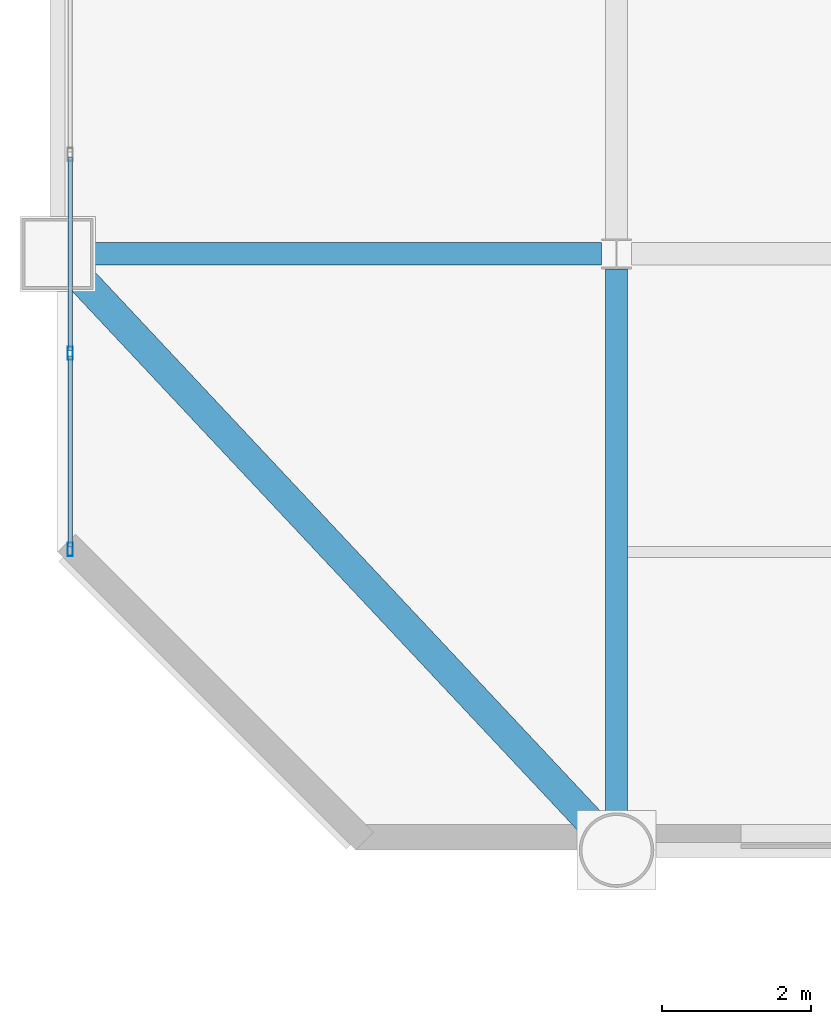
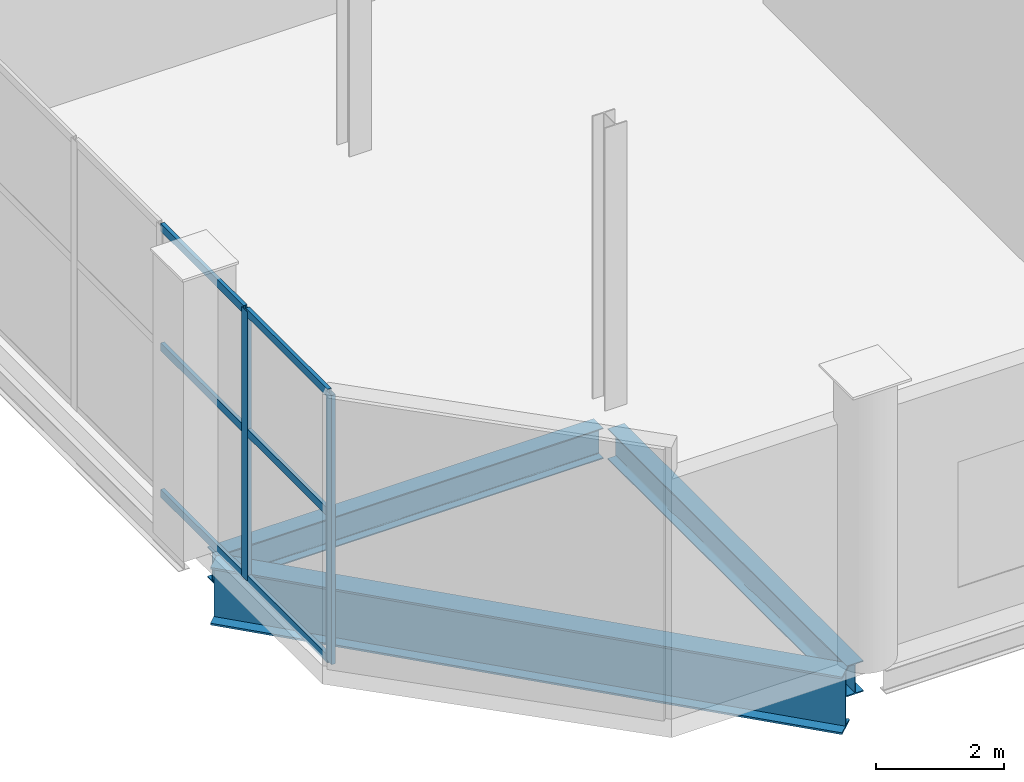
# One storey, part 4 of 23: 8 members, 3 beams, 1 element without a shape of its own.
"""IFC4 building model written with IfcOpenShell, lengths in metres."""

from ifc_helpers import new_model, si_unit, direction, frame, origin, origin_2d, place, context, subcontext, project, spatial, hollow_rectangle, i_section, extrude, material, layer, layer_set, material_profile, profile_set, type_object, element, aggregate, save


model = new_model("IFC4")

# Units and contexts
model_context = context("Model", 3, precision=1e-05, world=origin(), true_north=direction((0.0, 1.0)))
body_context = subcontext(model_context, "Body", "Model", "MODEL_VIEW")
ifc_project = project(units=[si_unit("LENGTHUNIT", "METRE"), si_unit("AREAUNIT", "SQUARE_METRE"), si_unit("VOLUMEUNIT", "CUBIC_METRE"), si_unit("PLANEANGLEUNIT", "RADIAN"), si_unit("MASSUNIT", "GRAM", prefix="KILO")], contexts=[model_context])

# Site, building, storey
site_placement = place(None, origin())
site = spatial("IfcSite", under=ifc_project, at=site_placement, CompositionType="ELEMENT")
building_placement = place(site_placement, origin())
building = spatial("IfcBuilding", under=site, at=building_placement, Name="Qianrong Seaharbour Tower", CompositionType="ELEMENT")
storey_placement = place(building_placement, frame((0.0, 0.0, 281.800048828125)))
storey = spatial("IfcBuildingStorey", under=building, at=storey_placement, Name="L68", CompositionType="ELEMENT", Elevation=281.800048828125)

# Beams
ifc_material_1 = material(Name="Structural steel SN490B", Category="steel")
ifc_material_profile_1 = material_profile(ifc_material_1, i_section(OverallWidth=0.300048828125, OverallDepth=0.587890625, WebThickness=0.011962890625, FlangeThickness=0.02001953125, FilletRadius=0.02392578125, at=origin_2d()), Name="H588x300x12x20")
ifc_profile_set_1 = profile_set([ifc_material_profile_1], Name="Structural steel SN490B")
beam_type_1 = type_object("IfcBeamType", Name="BM-G-588", PredefinedType="BEAM", material=ifc_profile_set_1)
beam_1_placement = place(storey_placement, frame((9.320068359375, 36.0, -0.64404296875), z_axis=(1.0, 0.0, 0.0), x_axis=(0.0, 1.0, 0.0)))
element("IfcBeam", 1, at=beam_1_placement, inside=storey, type_object=beam_type_1, Name="L68 Primary Girder GF G2-G3", PredefinedType="BEAM", context=body_context, shape_type="SweptSolid", body=[
    extrude(i_section(OverallWidth=0.300048828125, OverallDepth=0.587890625, WebThickness=0.011962890625, FlangeThickness=0.02001953125, FilletRadius=0.02392578125, at=origin_2d()), origin(), (0.0, 0.0, 1.0), 6.97998046875),
])
beam_2_placement = place(storey_placement, frame((16.5, 28.320068359375, -0.64404296875), z_axis=(0.0, 1.0, 0.0), x_axis=(-1.0, 0.0, 0.0)))
element("IfcBeam", 2, at=beam_2_placement, inside=storey, type_object=beam_type_1, Name="L68 Primary Girder G3 GE-GF", PredefinedType="BEAM", context=body_context, shape_type="SweptSolid", body=[
    extrude(i_section(OverallWidth=0.300048828125, OverallDepth=0.587890625, WebThickness=0.011962890625, FlangeThickness=0.02001953125, FilletRadius=0.02392578125, at=origin_2d()), origin(), (0.0, 0.0, 1.0), 7.47998046875),
])
ifc_material_profile_2 = material_profile(ifc_material_1, i_section(OverallWidth=0.39990234375, OverallDepth=1.10009765625, WebThickness=0.02001953125, FlangeThickness=0.035888671875, at=origin_2d()), Name="BH1100x400x20x36")
ifc_profile_set_2 = profile_set([ifc_material_profile_2], Name="Structural steel SN490B")
beam_type_2 = type_object("IfcBeamType", Name="BM-TG-1100", PredefinedType="BEAM", material=ifc_profile_set_2)
beam_3_placement = place(storey_placement, frame((16.28125, 28.2333984375, -0.900146484375), z_axis=(-0.683947420573, 0.729531305628, 0.0), x_axis=(-0.729531305628, -0.683947420573, 0.0)))
element("IfcBeam", 3, at=beam_3_placement, inside=storey, type_object=beam_type_2, Name="L68 Chamfer Corner Spandrel Girder G2/GE", PredefinedType="BEAM", context=body_context, shape_type="SweptSolid", body=[
    extrude(i_section(OverallWidth=0.39990234375, OverallDepth=1.10009765625, WebThickness=0.02001953125, FlangeThickness=0.035888671875, at=origin_2d()), origin(), (0.0, 0.0, 1.0), 10.326171875),
])

# Curtain wall, members
ifc_material_2 = material(Name="Anodised aluminium 6063-T6 and laminated low-e glass", Category="aluminium")
ifc_layer = layer(ifc_material_2, 0.18505859375)
ifc_layer_set = layer_set([ifc_layer], Name="Anodised aluminium 6063-T6 and laminated low-e glass")
curtain_wall_type = type_object("IfcCurtainWallType", Name="CW-SYS-4", PredefinedType="NOTDEFINED", material=ifc_layer_set)
curtain_wall_placement = place(storey_placement, origin())
curtain_wall = element("IfcCurtainWall", 4, at=curtain_wall_placement, inside=storey, type_object=curtain_wall_type, Name="L68 Refuge Acoustic Louvre Curtain Wall WEST_TIP", PredefinedType="NOTDEFINED")
ifc_material_3 = material(Name="Extruded aluminium 6063-T6", Category="aluminium")
ifc_material_profile_3 = material_profile(ifc_material_3, hollow_rectangle(XDim=0.070068359375, YDim=0.179931640625, WallThickness=0.00390625, at=origin_2d()), Name="ALU-MUL-180x70x4")
ifc_profile_set_3 = profile_set([ifc_material_profile_3], Name="Extruded aluminium 6063-T6")
member_type_1 = type_object("IfcMemberType", Name="CW-MUL-180", PredefinedType="MULLION", material=ifc_profile_set_3)
member_1_placement = place(storey_placement, frame((9.169921875, 32.034912109375, 0.0), z_axis=(0.0, 0.0, 1.0), x_axis=(-1.0, 0.0, 0.0)))
member_1 = element("IfcMember", 5, at=member_1_placement, type_object=member_type_1, Name="CW-4 mullion 1", PredefinedType="MULLION", context=body_context, shape_type="SweptSolid", body=[
    extrude(hollow_rectangle(XDim=0.070068359375, YDim=0.179931640625, WallThickness=0.00390625, at=origin_2d()), origin(), (0.0, 0.0, 1.0), 5.14501953125),
])
member_2_placement = place(storey_placement, frame((9.169921875, 34.666748046875, 0.0), z_axis=(0.0, 0.0, 1.0), x_axis=(-1.0, 0.0, 0.0)))
member_2 = element("IfcMember", 6, at=member_2_placement, type_object=member_type_1, Name="CW-4 mullion 2", PredefinedType="MULLION", context=body_context, shape_type="SweptSolid", body=[
    extrude(hollow_rectangle(XDim=0.070068359375, YDim=0.179931640625, WallThickness=0.00390625, at=origin_2d()), origin(), (0.0, 0.0, 1.0), 5.14501953125),
])
ifc_material_profile_4 = material_profile(ifc_material_3, hollow_rectangle(XDim=0.06494140625, YDim=0.14990234375, WallThickness=0.00390625, at=origin_2d()), Name="ALU-TRN-150x65x4")
ifc_profile_set_4 = profile_set([ifc_material_profile_4], Name="Extruded aluminium 6063-T6")
member_type_2 = type_object("IfcMemberType", Name="CW-TRN-150", PredefinedType="USERDEFINED", material=ifc_profile_set_4)
member_3_placement = place(storey_placement, frame((9.169921875, 32.070068359375, 0.032470703125), z_axis=(0.0, 1.0, 0.0), x_axis=(-1.0, 0.0, 0.0)))
member_3 = element("IfcMember", 7, at=member_3_placement, type_object=member_type_2, Name="CW-4 transom 1.1", ObjectType="TRANSOM", PredefinedType="USERDEFINED", context=body_context, shape_type="SweptSolid", body=[
    extrude(hollow_rectangle(XDim=0.06494140625, YDim=0.14990234375, WallThickness=0.00390625, at=origin_2d()), origin(), (0.0, 0.0, 1.0), 2.5615234375),
])
member_4_placement = place(storey_placement, frame((9.169921875, 32.070068359375, 2.829833984375), z_axis=(0.0, 1.0, 0.0), x_axis=(-1.0, 0.0, 0.0)))
member_4 = element("IfcMember", 8, at=member_4_placement, type_object=member_type_2, Name="CW-4 transom 1.2", ObjectType="TRANSOM", PredefinedType="USERDEFINED", context=body_context, shape_type="SweptSolid", body=[
    extrude(hollow_rectangle(XDim=0.06494140625, YDim=0.14990234375, WallThickness=0.00390625, at=origin_2d()), origin(), (0.0, 0.0, 1.0), 2.5615234375),
])
member_5_placement = place(storey_placement, frame((9.169921875, 32.070068359375, 5.112548828125), z_axis=(0.0, 1.0, 0.0), x_axis=(-1.0, 0.0, 0.0)))
member_5 = element("IfcMember", 9, at=member_5_placement, type_object=member_type_2, Name="CW-4 transom 1.3", ObjectType="TRANSOM", PredefinedType="USERDEFINED", context=body_context, shape_type="SweptSolid", body=[
    extrude(hollow_rectangle(XDim=0.06494140625, YDim=0.14990234375, WallThickness=0.00390625, at=origin_2d()), origin(), (0.0, 0.0, 1.0), 2.5615234375),
])
member_6_placement = place(storey_placement, frame((9.169921875, 34.70166015625, 0.032470703125), z_axis=(0.0, 1.0, 0.0), x_axis=(-1.0, 0.0, 0.0)))
member_6 = element("IfcMember", 10, at=member_6_placement, type_object=member_type_2, Name="CW-4 transom 2.1", ObjectType="TRANSOM", PredefinedType="USERDEFINED", context=body_context, shape_type="SweptSolid", body=[
    extrude(hollow_rectangle(XDim=0.06494140625, YDim=0.14990234375, WallThickness=0.00390625, at=origin_2d()), origin(), (0.0, 0.0, 1.0), 2.5966796875),
])
member_7_placement = place(storey_placement, frame((9.169921875, 34.70166015625, 2.829833984375), z_axis=(0.0, 1.0, 0.0), x_axis=(-1.0, 0.0, 0.0)))
member_7 = element("IfcMember", 11, at=member_7_placement, type_object=member_type_2, Name="CW-4 transom 2.2", ObjectType="TRANSOM", PredefinedType="USERDEFINED", context=body_context, shape_type="SweptSolid", body=[
    extrude(hollow_rectangle(XDim=0.06494140625, YDim=0.14990234375, WallThickness=0.00390625, at=origin_2d()), origin(), (0.0, 0.0, 1.0), 2.5966796875),
])
member_8_placement = place(storey_placement, frame((9.169921875, 34.70166015625, 5.112548828125), z_axis=(0.0, 1.0, 0.0), x_axis=(-1.0, 0.0, 0.0)))
member_8 = element("IfcMember", 12, at=member_8_placement, type_object=member_type_2, Name="CW-4 transom 2.3", ObjectType="TRANSOM", PredefinedType="USERDEFINED", context=body_context, shape_type="SweptSolid", body=[
    extrude(hollow_rectangle(XDim=0.06494140625, YDim=0.14990234375, WallThickness=0.00390625, at=origin_2d()), origin(), (0.0, 0.0, 1.0), 2.5966796875),
])
aggregate(curtain_wall, [member_1, member_2, member_3, member_4, member_5, member_6, member_7, member_8])

save(model, "model.ifc")
